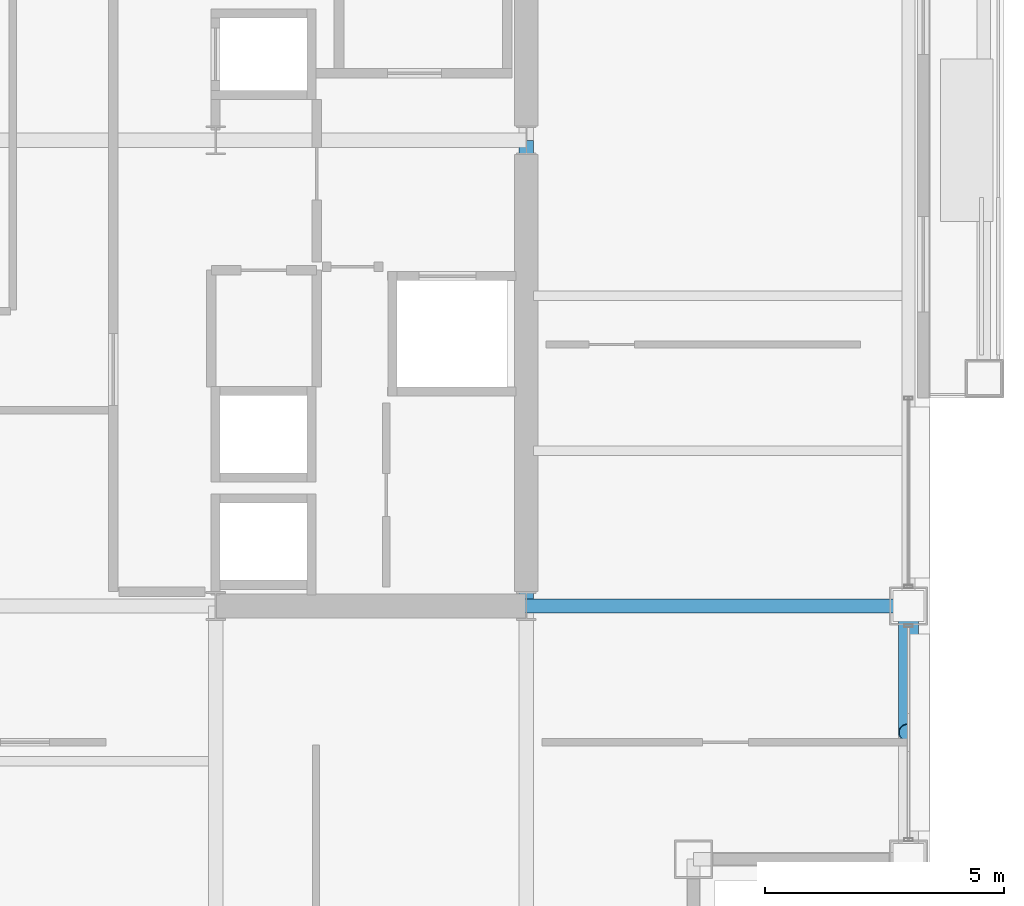
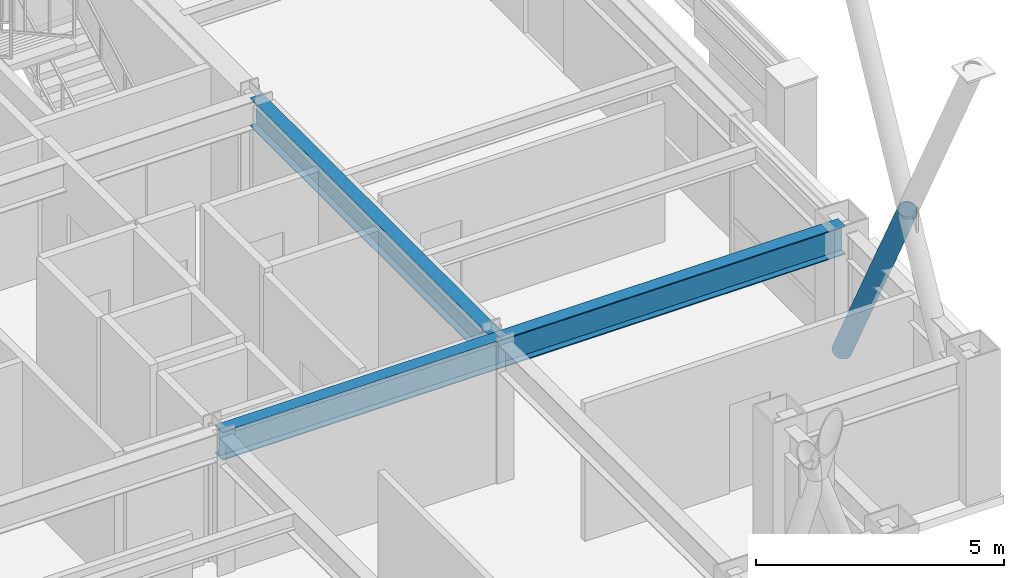
# One storey, part 14 of 33: 3 beams, 1 member.
"""IFC4 building model written with IfcOpenShell, lengths in metres."""

from ifc_helpers import new_model, si_unit, direction, frame, origin, origin_2d, place, context, subcontext, project, spatial, hollow_circle, i_section, extrude, material, material_profile, profile_set, type_object, element, save


model = new_model("IFC4")

# Units and contexts
model_context = context("Model", 3, precision=1e-05, world=origin(), true_north=direction((0.0, 1.0)))
body_context = subcontext(model_context, "Body", "Model", "MODEL_VIEW")
ifc_project = project(units=[si_unit("LENGTHUNIT", "METRE"), si_unit("AREAUNIT", "SQUARE_METRE"), si_unit("VOLUMEUNIT", "CUBIC_METRE"), si_unit("PLANEANGLEUNIT", "RADIAN"), si_unit("MASSUNIT", "GRAM", prefix="KILO")], contexts=[model_context])

# Site, building, storey
site_placement = place(None, origin())
site = spatial("IfcSite", under=ifc_project, at=site_placement, CompositionType="ELEMENT")
building_placement = place(site_placement, origin())
building = spatial("IfcBuilding", under=site, at=building_placement, Name="Brelmoor Portico Tower", CompositionType="ELEMENT")
storey_placement = place(building_placement, frame((0.0, 0.0, 120.60009765625)))
storey = spatial("IfcBuildingStorey", under=building, at=storey_placement, Name="L31", CompositionType="ELEMENT", Elevation=120.60009765625)

# Beams
ifc_material = material(Name="Steel Q355B", Category="steel")
ifc_material_profile_1 = material_profile(ifc_material, i_section(OverallWidth=0.300048828125, OverallDepth=0.699951171875, WebThickness=0.012939453125, FlangeThickness=0.02392578125, at=origin_2d()), Name="HN 700x300x13x24")
ifc_profile_set_1 = profile_set([ifc_material_profile_1], Name="Steel Q355B")
beam_type = type_object("IfcBeamType", Name="BM-PG-700", PredefinedType="BEAM", material=ifc_profile_set_1)
beam_1_placement = place(storey_placement, frame((14.550048828125, -9.75, 3.0498046875), z_axis=(0.0, 1.0, 0.0), x_axis=(-1.0, 0.0, 0.0)))
element("IfcBeam", 1, at=beam_1_placement, inside=storey, type_object=beam_type, Name="L31 Primary Floor Girder PG-11", PredefinedType="BEAM", context=body_context, shape_type="SweptSolid", body=[
    extrude(i_section(OverallWidth=0.300048828125, OverallDepth=0.699951171875, WebThickness=0.012939453125, FlangeThickness=0.02392578125, at=origin_2d()), origin(), (0.0, 0.0, 1.0), 9.75),
])
beam_2_placement = place(storey_placement, frame((8.050048828125, -9.75, 3.0498046875), z_axis=(1.0, 0.0, 0.0), x_axis=(0.0, 1.0, 0.0)))
element("IfcBeam", 2, at=beam_2_placement, inside=storey, type_object=beam_type, Name="L31 Primary Floor Girder PG-17", PredefinedType="BEAM", context=body_context, shape_type="SweptSolid", body=[
    extrude(i_section(OverallWidth=0.300048828125, OverallDepth=0.699951171875, WebThickness=0.012939453125, FlangeThickness=0.02392578125, at=origin_2d()), origin(), (0.0, 0.0, 1.0), 6.5),
])
beam_3_placement = place(storey_placement, frame((14.550048828125, -9.75, 3.0498046875), z_axis=(1.0, 0.0, 0.0), x_axis=(0.0, 1.0, 0.0)))
element("IfcBeam", 3, at=beam_3_placement, inside=storey, type_object=beam_type, Name="L31 Primary Floor Girder PG-18", PredefinedType="BEAM", context=body_context, shape_type="SweptSolid", body=[
    extrude(i_section(OverallWidth=0.300048828125, OverallDepth=0.699951171875, WebThickness=0.012939453125, FlangeThickness=0.02392578125, at=origin_2d()), origin(), (0.0, 0.0, 1.0), 8.0),
])

# Member
ifc_material_profile_2 = material_profile(ifc_material, hollow_circle(Radius=0.212890625, WallThickness=0.02001953125, at=origin_2d()), Name="CHS 426x20")
ifc_profile_set_2 = profile_set([ifc_material_profile_2], Name="Steel Q355B")
member_type = type_object("IfcMemberType", Name="MB-BELT-DIAG1", PredefinedType="BRACE", material=ifc_profile_set_2)
member_placement = place(storey_placement, frame((22.550048828125, -9.75, 0.25), z_axis=(0.0, -0.464662733102, 0.885487743826), x_axis=(1.0, 0.0, 0.0)))
element("IfcMember", 4, at=member_placement, inside=storey, type_object=member_type, Name="L31 Split Mega-X Brace 072B1", PredefinedType="BRACE", context=body_context, shape_type="SweptSolid", body=[
    extrude(hollow_circle(Radius=0.212890625, WallThickness=0.02001953125, at=origin_2d()), origin(), (0.0, 0.0, 1.0), 5.702880859375),
])

save(model, "model.ifc")
